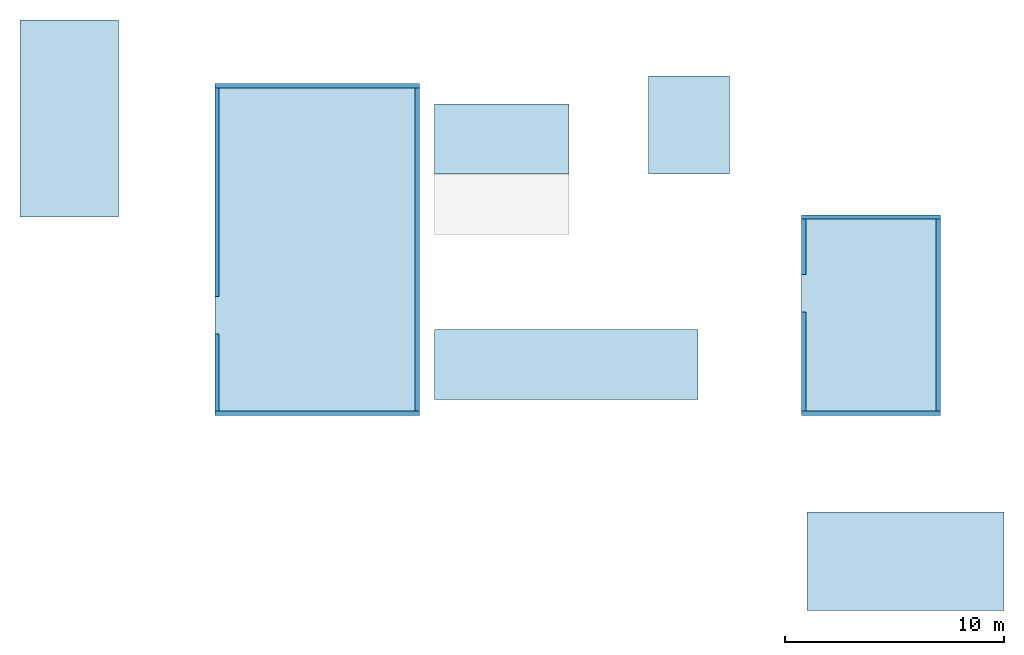
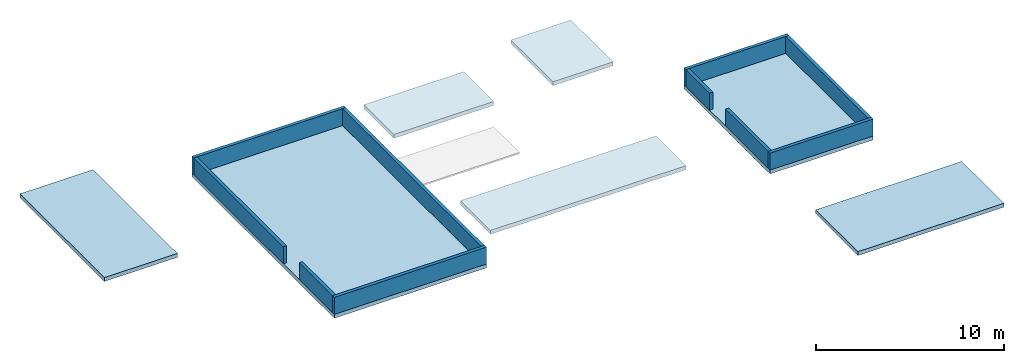
# One storey, part 1 of 2: 10 walls, 7 slabs.
"""IFC4 building model written with IfcOpenShell, lengths in metres."""

from ifc_helpers import new_model, si_unit, direction, frame, frame_2d, origin, place, context, subcontext, project, spatial, polyline, rectangle, outline, extrude, material, layer, layer_set, type_object, element, save


model = new_model("IFC4")

# Units and contexts
model_context = context("Model", 3, precision=1e-05, world=origin(), true_north=direction((0.0, 1.0)))
body_context = subcontext(model_context, "Body", "Model", "MODEL_VIEW")
ifc_project = project(units=[si_unit("LENGTHUNIT", "METRE"), si_unit("AREAUNIT", "SQUARE_METRE"), si_unit("VOLUMEUNIT", "CUBIC_METRE"), si_unit("PLANEANGLEUNIT", "RADIAN"), si_unit("MASSUNIT", "GRAM", prefix="KILO")], contexts=[model_context])

# Site, building, storey
site_placement = place(None, origin())
site = spatial("IfcSite", under=ifc_project, at=site_placement, CompositionType="ELEMENT")
building_placement = place(site_placement, origin())
building = spatial("IfcBuilding", under=site, at=building_placement, Name="Guidao Yard Department Store", CompositionType="ELEMENT")
storey_placement = place(building_placement, frame((0.0, 0.0, 40.5)))
storey = spatial("IfcBuildingStorey", under=building, at=storey_placement, Name="ROOF", CompositionType="ELEMENT", Elevation=40.5)

# Slabs
ifc_material_1 = material(Name="Concrete C35", Category="concrete")
ifc_layer_1 = layer(ifc_material_1, 0.25)
ifc_layer_set_1 = layer_set([ifc_layer_1], Name="Roof slab RC 250 C35 head house")
slab_type = type_object("IfcSlabType", Name="Roof slab RC 250 C35 head house", PredefinedType="ROOF", material=ifc_layer_set_1)
slab_1_placement = place(storey_placement, origin())
element("IfcSlab", 1, at=slab_1_placement, inside=storey, type_object=slab_type, Name="Stair O2 head roof", PredefinedType="ROOF", context=body_context, shape_type="SweptSolid", body=[
    extrude(outline(polyline([(162.0, 0.0), (171.0, 0.0), (171.0, 4.5), (162.0, 4.5), (162.0, 0.0)])), origin(), (0.0, 0.0, 1.0), 0.25),
])
slab_2_placement = place(storey_placement, origin())
element("IfcSlab", 2, at=slab_2_placement, inside=storey, type_object=slab_type, Name="Stair O3 head roof", PredefinedType="ROOF", context=body_context, shape_type="SweptSolid", body=[
    extrude(outline(polyline([(126.0, 18.0), (130.5, 18.0), (130.5, 27.0), (126.0, 27.0), (126.0, 18.0)])), origin(), (0.0, 0.0, 1.0), 0.25),
])
slab_3_placement = place(storey_placement, frame((0.0, 0.0, 1.5)))
element("IfcSlab", 3, at=slab_3_placement, inside=storey, type_object=slab_type, Name="Lift overrun cover slab OF1 to OF2", PredefinedType="ROOF", context=body_context, shape_type="SweptSolid", body=[
    extrude(outline(polyline([(144.949951171875, 19.949951171875), (151.10009765625, 19.949951171875), (151.10009765625, 23.14990234375), (144.949951171875, 23.14990234375), (144.949951171875, 19.949951171875)])), origin(), (0.0, 0.0, 1.0), 0.25),
])
slab_4_placement = place(storey_placement, frame((0.0, 0.0, 1.5)))
element("IfcSlab", 4, at=slab_4_placement, inside=storey, type_object=slab_type, Name="Lift overrun cover slab OL1 to OL4", PredefinedType="ROOF", context=body_context, shape_type="SweptSolid", body=[
    extrude(outline(polyline([(144.949951171875, 9.64990234375), (157.0, 9.64990234375), (157.0, 12.85009765625), (144.949951171875, 12.85009765625), (144.949951171875, 9.64990234375)])), origin(), (0.0, 0.0, 1.0), 0.25),
])
slab_5_placement = place(storey_placement, frame((0.0, 0.0, 1.5)))
element("IfcSlab", 5, at=slab_5_placement, inside=storey, type_object=slab_type, Name="Lift overrun cover slab OS1", PredefinedType="ROOF", context=body_context, shape_type="SweptSolid", body=[
    extrude(outline(polyline([(154.75, 19.949951171875), (158.449951171875, 19.949951171875), (158.449951171875, 24.449951171875), (154.75, 24.449951171875), (154.75, 19.949951171875)])), origin(), (0.0, 0.0, 1.0), 0.25),
])
slab_6_placement = place(storey_placement, origin())
element("IfcSlab", 6, at=slab_6_placement, inside=storey, type_object=slab_type, Name="Roof Plant Room and Roof Maintenance Store cover slab", PredefinedType="ROOF", context=body_context, shape_type="SweptSolid", body=[
    extrude(outline(polyline([(134.909912109375, 24.090087890625), (144.264892578125, 24.090087890625), (144.264892578125, 8.909912109375), (134.909912109375, 8.909912109375), (134.909912109375, 24.090087890625)])), origin(), (0.0, 0.0, 1.0), 0.25),
])
slab_7_placement = place(storey_placement, origin())
element("IfcSlab", 7, at=slab_7_placement, inside=storey, type_object=slab_type, Name="Fire Water Tank Room cover slab", PredefinedType="ROOF", context=body_context, shape_type="SweptSolid", body=[
    extrude(outline(polyline([(168.090087890625, 8.909912109375), (161.735107421875, 8.909912109375), (161.735107421875, 18.090087890625), (168.090087890625, 18.090087890625), (168.090087890625, 8.909912109375)])), origin(), (0.0, 0.0, 1.0), 0.25),
])

# Walls
ifc_material_2 = material(Name="Concrete C30", Category="concrete")
ifc_layer_2 = layer(ifc_material_2, 0.199951171875)
ifc_layer_set_2 = layer_set([ifc_layer_2], Name="Parapet wall 200 C30")
wall_type = type_object("IfcWallType", Name="Parapet wall 200 C30", PredefinedType="PARAPET", material=ifc_layer_set_2)
for number, where, z_axis, x_axis, name in (
    (8, (134.909912109375, 9.010009765625, 0.25), (0.0, 0.0, 1.0), (1.0, 0.0, 0.0), "Parapet"),
    (9, (134.909912109375, 23.989990234375, 0.25), (0.0, 0.0, 1.0), (1.0, 0.0, 0.0), "Parapet"),
):
    element("IfcWall", number, at=place(storey_placement, frame(where, z_axis=z_axis, x_axis=x_axis)), inside=storey, type_object=wall_type, Name=name, PredefinedType="PARAPET", context=body_context, shape_type="SweptSolid", body=[
        extrude(rectangle(XDim=9.35498046875, YDim=0.199951171875, at=frame_2d((4.677490234375, 0.0))), origin(), (0.0, 0.0, 1.0), 1.10009765625),
    ])
wall_1_placement = place(storey_placement, frame((135.010009765625, 9.110107421875, 0.25), z_axis=(0.0, 0.0, 1.0), x_axis=(0.0, 1.0, 0.0)))
element("IfcWall", 10, at=wall_1_placement, inside=storey, type_object=wall_type, Name="Parapet", PredefinedType="PARAPET", context=body_context, shape_type="SweptSolid", body=[
    extrude(rectangle(XDim=3.539794921875, YDim=0.199951171875, at=frame_2d((1.77001953125, 0.0))), origin(), (0.0, 0.0, 1.0), 1.10009765625),
])
wall_2_placement = place(storey_placement, frame((135.010009765625, 14.35009765625, 0.25), z_axis=(0.0, 0.0, 1.0), x_axis=(0.0, 1.0, 0.0)))
element("IfcWall", 11, at=wall_2_placement, inside=storey, type_object=wall_type, Name="Parapet", PredefinedType="PARAPET", context=body_context, shape_type="SweptSolid", body=[
    extrude(rectangle(XDim=9.539794921875, YDim=0.199951171875, at=frame_2d((4.77001953125, 0.0))), origin(), (0.0, 0.0, 1.0), 1.10009765625),
])
wall_3_placement = place(storey_placement, frame((144.1650390625, 9.110107421875, 0.25), z_axis=(0.0, 0.0, 1.0), x_axis=(0.0, 1.0, 0.0)))
element("IfcWall", 12, at=wall_3_placement, inside=storey, type_object=wall_type, Name="Parapet", PredefinedType="PARAPET", context=body_context, shape_type="SweptSolid", body=[
    extrude(rectangle(XDim=14.77978515625, YDim=0.199951171875, at=frame_2d((7.389892578125, 0.0))), origin(), (0.0, 0.0, 1.0), 1.10009765625),
])
for number, where, z_axis, x_axis, name in (
    (13, (161.735107421875, 9.010009765625, 0.25), (0.0, 0.0, 1.0), (1.0, 0.0, 0.0), "Parapet"),
    (14, (161.735107421875, 17.989990234375, 0.25), (0.0, 0.0, 1.0), (1.0, 0.0, 0.0), "Parapet"),
):
    element("IfcWall", number, at=place(storey_placement, frame(where, z_axis=z_axis, x_axis=x_axis)), inside=storey, type_object=wall_type, Name=name, PredefinedType="PARAPET", context=body_context, shape_type="SweptSolid", body=[
        extrude(rectangle(XDim=6.35498046875, YDim=0.199951171875, at=frame_2d((3.177490234375, 0.0))), origin(), (0.0, 0.0, 1.0), 1.10009765625),
    ])
wall_4_placement = place(storey_placement, frame((161.8349609375, 9.110107421875, 0.25), z_axis=(0.0, 0.0, 1.0), x_axis=(0.0, 1.0, 0.0)))
element("IfcWall", 15, at=wall_4_placement, inside=storey, type_object=wall_type, Name="Parapet", PredefinedType="PARAPET", context=body_context, shape_type="SweptSolid", body=[
    extrude(rectangle(XDim=4.539794921875, YDim=0.199951171875, at=frame_2d((2.27001953125, 0.0))), origin(), (0.0, 0.0, 1.0), 1.10009765625),
])
wall_5_placement = place(storey_placement, frame((161.8349609375, 15.35009765625, 0.25), z_axis=(0.0, 0.0, 1.0), x_axis=(0.0, 1.0, 0.0)))
element("IfcWall", 16, at=wall_5_placement, inside=storey, type_object=wall_type, Name="Parapet", PredefinedType="PARAPET", context=body_context, shape_type="SweptSolid", body=[
    extrude(rectangle(XDim=2.539794921875, YDim=0.199951171875, at=frame_2d((1.27001953125, 0.0))), origin(), (0.0, 0.0, 1.0), 1.10009765625),
])
wall_6_placement = place(storey_placement, frame((167.989990234375, 9.110107421875, 0.25), z_axis=(0.0, 0.0, 1.0), x_axis=(0.0, 1.0, 0.0)))
element("IfcWall", 17, at=wall_6_placement, inside=storey, type_object=wall_type, Name="Parapet", PredefinedType="PARAPET", context=body_context, shape_type="SweptSolid", body=[
    extrude(rectangle(XDim=8.77978515625, YDim=0.199951171875, at=frame_2d((4.389892578125, 0.0))), origin(), (0.0, 0.0, 1.0), 1.10009765625),
])

save(model, "model.ifc")
